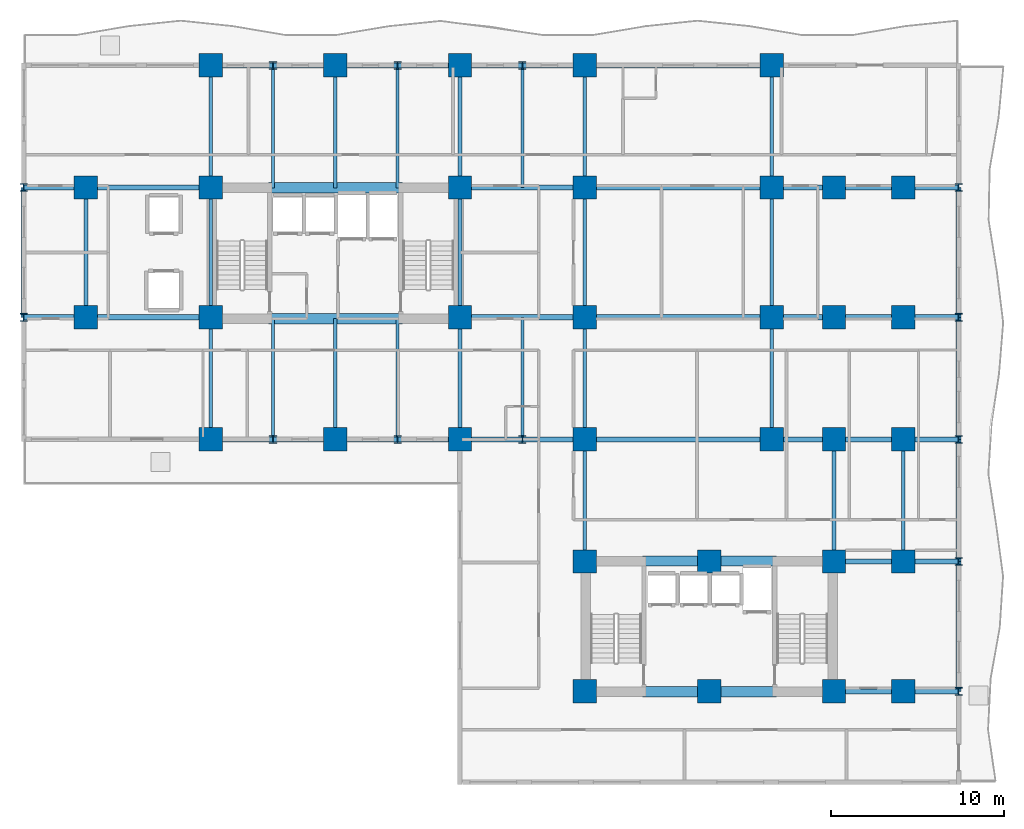
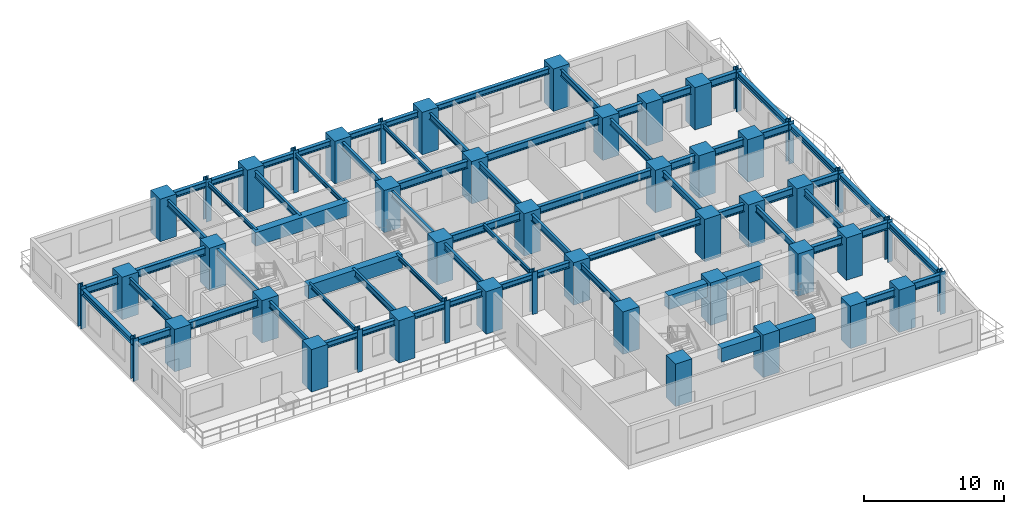
# One storey, part 1 of 11: 68 beams, 47 columns.
"""IFC4 building model written with IfcOpenShell, lengths in metres."""

from ifc_helpers import new_model, si_unit, direction, frame, origin, origin_2d, place, context, subcontext, project, spatial, rectangle, i_section, extrude, source, transform, mapped, material, material_profile, profile_set, type_object, element, save


model = new_model("IFC4")

# Units and contexts
model_context = context("Model", 3, precision=1e-05, world=origin(), true_north=direction((0.0, 1.0)))
body_context = subcontext(model_context, "Body", "Model", "MODEL_VIEW")
ifc_project = project(units=[si_unit("LENGTHUNIT", "METRE"), si_unit("AREAUNIT", "SQUARE_METRE"), si_unit("VOLUMEUNIT", "CUBIC_METRE"), si_unit("PLANEANGLEUNIT", "RADIAN"), si_unit("MASSUNIT", "GRAM", prefix="KILO")], contexts=[model_context])

# Site, building, storey
site_placement = place(None, origin())
site = spatial("IfcSite", under=ifc_project, at=site_placement, CompositionType="ELEMENT")
building_placement = place(site_placement, origin())
building = spatial("IfcBuilding", under=site, at=building_placement, Name="Kaliganga Portal Commons", CompositionType="ELEMENT")
storey_placement = place(building_placement, frame((0.0, 0.0, 25.300048828125)))
storey = spatial("IfcBuildingStorey", under=building, at=storey_placement, Name="L05", CompositionType="ELEMENT", Elevation=25.300048828125)

# Columns
ifc_material_1 = material(Name="Concrete C70/85", Category="concrete")
ifc_material_profile_1 = material_profile(ifc_material_1, rectangle(XDim=1.35009765625, YDim=1.35009765625, at=origin_2d()), Name="RC 1350x1350")
ifc_profile_set_1 = profile_set([ifc_material_profile_1], Name="Concrete C70/85")
column_type_1 = type_object("IfcColumnType", Name="COL-MEGA-Z1", PredefinedType="COLUMN", material=ifc_profile_set_1)
shared_shape_1 = source(origin(), body_context, "Body", "SweptSolid", [
    extrude(rectangle(XDim=1.35009765625, YDim=1.35009765625, at=origin_2d()), origin(), (0.0, 0.0, 1.0), 3.699951171875),
])
for number, where, z_axis, x_axis, name in (
    (1, (7.199951171875, 28.64990234375, 0.0), (0.0, 0.0, 1.0), (1.0, 0.0, 0.0), "Column MC-02 L05"),
    (2, (7.199951171875, 36.14990234375, 0.0), (0.0, 0.0, 1.0), (1.0, 0.0, 0.0), "Column MC-02 L05"),
    (3, (14.39990234375, 21.60009765625, 0.0), (0.0, 0.0, 1.0), (1.0, 0.0, 0.0), "Column MC-02 L05"),
    (4, (14.39990234375, 28.64990234375, 0.0), (0.0, 0.0, 1.0), (1.0, 0.0, 0.0), "Column MC-02 L05"),
    (5, (14.39990234375, 36.14990234375, 0.0), (0.0, 0.0, 1.0), (1.0, 0.0, 0.0), "Column MC-02 L05"),
    (6, (14.39990234375, 43.199951171875, 0.0), (0.0, 0.0, 1.0), (1.0, 0.0, 0.0), "Column MC-02 L05"),
    (7, (21.60009765625, 21.60009765625, 0.0), (0.0, 0.0, 1.0), (1.0, 0.0, 0.0), "Column MC-02 L05"),
    (8, (21.60009765625, 43.199951171875, 0.0), (0.0, 0.0, 1.0), (1.0, 0.0, 0.0), "Column MC-02 L05"),
    (9, (28.800048828125, 21.60009765625, 0.0), (0.0, 0.0, 1.0), (1.0, 0.0, 0.0), "Column MC-02 L05"),
    (10, (28.800048828125, 28.64990234375, 0.0), (0.0, 0.0, 1.0), (1.0, 0.0, 0.0), "Column MC-02 L05"),
    (11, (28.800048828125, 36.14990234375, 0.0), (0.0, 0.0, 1.0), (1.0, 0.0, 0.0), "Column MC-02 L05"),
    (12, (28.800048828125, 43.199951171875, 0.0), (0.0, 0.0, 1.0), (1.0, 0.0, 0.0), "Column MC-02 L05"),
    (13, (36.0, 21.60009765625, 0.0), (0.0, 0.0, 1.0), (1.0, 0.0, 0.0), "Column MC-02 L05"),
    (14, (36.0, 43.199951171875, 0.0), (0.0, 0.0, 1.0), (1.0, 0.0, 0.0), "Column MC-02 L05"),
    (15, (36.0, 28.64990234375, 0.0), (0.0, 0.0, 1.0), (1.0, 0.0, 0.0), "Column MC-02 L05"),
    (16, (36.0, 36.14990234375, 0.0), (0.0, 0.0, 1.0), (1.0, 0.0, 0.0), "Column MC-02 L05"),
    (17, (46.800048828125, 21.60009765625, 0.0), (0.0, 0.0, 1.0), (1.0, 0.0, 0.0), "Column MC-02 L05"),
    (18, (46.800048828125, 28.64990234375, 0.0), (0.0, 0.0, 1.0), (1.0, 0.0, 0.0), "Column MC-02 L05"),
    (19, (46.800048828125, 36.14990234375, 0.0), (0.0, 0.0, 1.0), (1.0, 0.0, 0.0), "Column MC-02 L05"),
    (20, (46.800048828125, 43.199951171875, 0.0), (0.0, 0.0, 1.0), (1.0, 0.0, 0.0), "Column MC-02 L05"),
    (21, (36.0, 7.050048828125, 0.0), (0.0, 0.0, 1.0), (1.0, 0.0, 0.0), "Column MC-02 L05"),
    (22, (36.0, 14.550048828125, 0.0), (0.0, 0.0, 1.0), (1.0, 0.0, 0.0), "Column MC-02 L05"),
    (23, (43.199951171875, 7.050048828125, 0.0), (0.0, 0.0, 1.0), (1.0, 0.0, 0.0), "Column MC-02 L05"),
    (24, (43.199951171875, 14.550048828125, 0.0), (0.0, 0.0, 1.0), (1.0, 0.0, 0.0), "Column MC-02 L05"),
    (25, (50.39990234375, 7.050048828125, 0.0), (0.0, 0.0, 1.0), (1.0, 0.0, 0.0), "Column MC-02 L05"),
    (26, (50.39990234375, 14.550048828125, 0.0), (0.0, 0.0, 1.0), (1.0, 0.0, 0.0), "Column MC-02 L05"),
    (27, (50.39990234375, 21.60009765625, 0.0), (0.0, 0.0, 1.0), (1.0, 0.0, 0.0), "Column MC-02 L05"),
    (28, (50.39990234375, 28.64990234375, 0.0), (0.0, 0.0, 1.0), (1.0, 0.0, 0.0), "Column MC-02 L05"),
    (29, (50.39990234375, 36.14990234375, 0.0), (0.0, 0.0, 1.0), (1.0, 0.0, 0.0), "Column MC-02 L05"),
    (30, (54.39990234375, 7.050048828125, 0.0), (0.0, 0.0, 1.0), (1.0, 0.0, 0.0), "Column MC-02 L05"),
    (31, (54.39990234375, 14.550048828125, 0.0), (0.0, 0.0, 1.0), (1.0, 0.0, 0.0), "Column MC-02 L05"),
    (32, (54.39990234375, 21.60009765625, 0.0), (0.0, 0.0, 1.0), (1.0, 0.0, 0.0), "Column MC-02 L05"),
    (33, (54.39990234375, 28.64990234375, 0.0), (0.0, 0.0, 1.0), (1.0, 0.0, 0.0), "Column MC-02 L05"),
    (34, (54.39990234375, 36.14990234375, 0.0), (0.0, 0.0, 1.0), (1.0, 0.0, 0.0), "Column MC-02 L05"),
):
    element("IfcColumn", number, at=place(storey_placement, frame(where, z_axis=z_axis, x_axis=x_axis)), inside=storey, type_object=column_type_1, Name=name, PredefinedType="COLUMN", context=body_context, shape_type="MappedRepresentation", body=[
        mapped(shared_shape_1, transform((0.0, 0.0, 0.0), x_axis=(1.0, 0.0, 0.0), y_axis=(0.0, 1.0, 0.0), z_axis=(0.0, 0.0, 1.0), scale=1.0)),
    ])
ifc_material_2 = material(Name="Structural steel S460M", Category="steel")
ifc_material_profile_2 = material_profile(ifc_material_2, i_section(OverallWidth=0.416015625, OverallDepth=0.446044921875, WebThickness=0.029052734375, FlangeThickness=0.0400390625, FilletRadius=0.014892578125, at=origin_2d()), Name="HD 400x509")
ifc_profile_set_2 = profile_set([ifc_material_profile_2], Name="Structural steel S460M wide-flange")
column_type_2 = type_object("IfcColumnType", Name="COL-TUBE-B1", PredefinedType="COLUMN", material=ifc_profile_set_2)
shared_shape_2 = source(origin(), body_context, "Body", "SweptSolid", [
    extrude(i_section(OverallWidth=0.416015625, OverallDepth=0.446044921875, WebThickness=0.029052734375, FlangeThickness=0.0400390625, FilletRadius=0.014892578125, at=origin_2d()), origin(), (0.0, 0.0, 1.0), 3.699951171875),
])
for number, where, z_axis, x_axis, name in (
    (35, (3.60009765625, 28.64990234375, 0.0), (0.0, 0.0, 1.0), (1.0, 0.0, 0.0), "Column TC-01 L05"),
    (36, (3.60009765625, 36.14990234375, 0.0), (0.0, 0.0, 1.0), (1.0, 0.0, 0.0), "Column TC-01 L05"),
    (37, (18.0, 21.60009765625, 0.0), (0.0, 0.0, 1.0), (1.0, 0.0, 0.0), "Column TC-01 L05"),
    (38, (18.0, 43.199951171875, 0.0), (0.0, 0.0, 1.0), (1.0, 0.0, 0.0), "Column TC-01 L05"),
    (39, (25.199951171875, 21.60009765625, 0.0), (0.0, 0.0, 1.0), (1.0, 0.0, 0.0), "Column TC-01 L05"),
    (40, (25.199951171875, 43.199951171875, 0.0), (0.0, 0.0, 1.0), (1.0, 0.0, 0.0), "Column TC-01 L05"),
    (41, (32.39990234375, 21.60009765625, 0.0), (0.0, 0.0, 1.0), (1.0, 0.0, 0.0), "Column TC-01 L05"),
    (42, (32.39990234375, 43.199951171875, 0.0), (0.0, 0.0, 1.0), (1.0, 0.0, 0.0), "Column TC-01 L05"),
    (43, (57.60009765625, 7.050048828125, 0.0), (0.0, 0.0, 1.0), (1.0, 0.0, 0.0), "Column TC-01 L05"),
    (44, (57.60009765625, 14.550048828125, 0.0), (0.0, 0.0, 1.0), (1.0, 0.0, 0.0), "Column TC-01 L05"),
    (45, (57.60009765625, 21.60009765625, 0.0), (0.0, 0.0, 1.0), (1.0, 0.0, 0.0), "Column TC-01 L05"),
    (46, (57.60009765625, 28.64990234375, 0.0), (0.0, 0.0, 1.0), (1.0, 0.0, 0.0), "Column TC-01 L05"),
    (47, (57.60009765625, 36.14990234375, 0.0), (0.0, 0.0, 1.0), (1.0, 0.0, 0.0), "Column TC-01 L05"),
):
    element("IfcColumn", number, at=place(storey_placement, frame(where, z_axis=z_axis, x_axis=x_axis)), inside=storey, type_object=column_type_2, Name=name, PredefinedType="COLUMN", context=body_context, shape_type="MappedRepresentation", body=[
        mapped(shared_shape_2, transform((0.0, 0.0, 0.0), x_axis=(1.0, 0.0, 0.0), y_axis=(0.0, 1.0, 0.0), z_axis=(0.0, 0.0, 1.0), scale=1.0)),
    ])

# Beams
ifc_material_3 = material(Name="Concrete C60/75", Category="concrete")
ifc_material_profile_3 = material_profile(ifc_material_3, rectangle(XDim=0.60009765625, YDim=1.199951171875, at=origin_2d()), Name="RC 600x1200")
ifc_profile_set_3 = profile_set([ifc_material_profile_3], Name="Concrete C60/75")
beam_type_1 = type_object("IfcBeamType", Name="BM-CPL-1200", PredefinedType="LINTEL", material=ifc_profile_set_3)
shared_shape_3 = source(origin(), body_context, "Body", "SweptSolid", [
    extrude(rectangle(XDim=0.60009765625, YDim=1.199951171875, at=origin_2d()), origin(), (0.0, 0.0, 1.0), 7.739990234375),
])
for number, where, z_axis, x_axis, name in (
    (48, (17.72998046875, 28.574951171875, 2.849853515625), (1.0, 0.0, 0.0), (0.0, 1.0, 0.0), "BM CPL COREA L05 S"),
    (49, (17.72998046875, 36.125, 2.849853515625), (1.0, 0.0, 0.0), (0.0, 1.0, 0.0), "BM CPL COREA L05 N"),
    (50, (39.330078125, 7.02490234375, 2.849853515625), (1.0, 0.0, 0.0), (0.0, 1.0, 0.0), "BM CPL COREB L05 S"),
    (51, (39.330078125, 14.574951171875, 2.849853515625), (1.0, 0.0, 0.0), (0.0, 1.0, 0.0), "BM CPL COREB L05 N"),
):
    element("IfcBeam", number, at=place(storey_placement, frame(where, z_axis=z_axis, x_axis=x_axis)), inside=storey, type_object=beam_type_1, Name=name, PredefinedType="LINTEL", context=body_context, shape_type="MappedRepresentation", body=[
        mapped(shared_shape_3, transform((0.0, 0.0, 0.0), x_axis=(1.0, 0.0, 0.0), y_axis=(0.0, 1.0, 0.0), z_axis=(0.0, 0.0, 1.0), scale=1.0)),
    ])
ifc_material_4 = material(Name="Structural steel S355J2", Category="steel")
ifc_material_profile_4 = material_profile(ifc_material_4, i_section(OverallWidth=0.300048828125, OverallDepth=0.5, WebThickness=0.014404296875, FlangeThickness=0.028076171875, FilletRadius=0.027099609375, at=origin_2d()), Name="HE 500 B")
ifc_profile_set_4 = profile_set([ifc_material_profile_4], Name="Structural steel S355J2 wide-flange")
beam_type_2 = type_object("IfcBeamType", Name="BM-SPAND-500", PredefinedType="SPANDREL", material=ifc_profile_set_4)
shared_shape_4 = source(origin(), body_context, "Body", "SweptSolid", [
    extrude(i_section(OverallWidth=0.300048828125, OverallDepth=0.5, WebThickness=0.014404296875, FlangeThickness=0.028076171875, FilletRadius=0.027099609375, at=origin_2d()), origin(), (0.0, 0.0, 1.0), 10.800048828125),
])
for number, where, z_axis, x_axis, name in (
    (52, (36.0, 43.199951171875, 3.199951171875), (1.0, 0.0, 0.0), (0.0, 1.0, 0.0), "BM SP L05 AN 7"),
    (53, (36.0, 21.60009765625, 3.199951171875), (1.0, 0.0, 0.0), (0.0, 1.0, 0.0), "BM SP L05 AS 7"),
):
    element("IfcBeam", number, at=place(storey_placement, frame(where, z_axis=z_axis, x_axis=x_axis)), inside=storey, type_object=beam_type_2, Name=name, PredefinedType="SPANDREL", context=body_context, shape_type="MappedRepresentation", body=[
        mapped(shared_shape_4, transform((0.0, 0.0, 0.0), x_axis=(1.0, 0.0, 0.0), y_axis=(0.0, 1.0, 0.0), z_axis=(0.0, 0.0, 1.0), scale=1.0)),
    ])
shared_shape_5 = source(origin(), body_context, "Body", "SweptSolid", [
    extrude(i_section(OverallWidth=0.300048828125, OverallDepth=0.5, WebThickness=0.014404296875, FlangeThickness=0.028076171875, FilletRadius=0.027099609375, at=origin_2d()), origin(), (0.0, 0.0, 1.0), 7.5),
])
for number, where, z_axis, x_axis, name in (
    (54, (3.60009765625, 28.64990234375, 3.199951171875), (0.0, 1.0, 0.0), (-1.0, 0.0, 0.0), "BM SP L05 AW"),
    (55, (57.60009765625, 7.050048828125, 3.199951171875), (0.0, 1.0, 0.0), (-1.0, 0.0, 0.0), "BM SP L05 BE 1"),
    (56, (57.60009765625, 28.64990234375, 3.199951171875), (0.0, 1.0, 0.0), (-1.0, 0.0, 0.0), "BM SP L05 BE 4"),
):
    element("IfcBeam", number, at=place(storey_placement, frame(where, z_axis=z_axis, x_axis=x_axis)), inside=storey, type_object=beam_type_2, Name=name, PredefinedType="SPANDREL", context=body_context, shape_type="MappedRepresentation", body=[
        mapped(shared_shape_5, transform((0.0, 0.0, 0.0), x_axis=(1.0, 0.0, 0.0), y_axis=(0.0, 1.0, 0.0), z_axis=(0.0, 0.0, 1.0), scale=1.0)),
    ])
shared_shape_6 = source(origin(), body_context, "Body", "SweptSolid", [
    extrude(i_section(OverallWidth=0.300048828125, OverallDepth=0.5, WebThickness=0.014404296875, FlangeThickness=0.028076171875, FilletRadius=0.027099609375, at=origin_2d()), origin(), (0.0, 0.0, 1.0), 7.050048828125),
])
beam_1_placement = place(storey_placement, frame((57.60009765625, 14.550048828125, 3.199951171875), z_axis=(0.0, 1.0, 0.0), x_axis=(-1.0, 0.0, 0.0)))
element("IfcBeam", 57, at=beam_1_placement, inside=storey, type_object=beam_type_2, Name="BM SP L05 BE 2", PredefinedType="SPANDREL", context=body_context, shape_type="MappedRepresentation", body=[
    mapped(shared_shape_6, transform((0.0, 0.0, 0.0), x_axis=(1.0, 0.0, 0.0), y_axis=(0.0, 1.0, 0.0), z_axis=(0.0, 0.0, 1.0), scale=1.0)),
])
shared_shape_7 = source(origin(), body_context, "Body", "SweptSolid", [
    extrude(i_section(OverallWidth=0.300048828125, OverallDepth=0.5, WebThickness=0.014404296875, FlangeThickness=0.028076171875, FilletRadius=0.027099609375, at=origin_2d()), origin(), (0.0, 0.0, 1.0), 7.0498046875),
])
beam_2_placement = place(storey_placement, frame((57.60009765625, 21.60009765625, 3.199951171875), z_axis=(0.0, 1.0, 0.0), x_axis=(-1.0, 0.0, 0.0)))
element("IfcBeam", 58, at=beam_2_placement, inside=storey, type_object=beam_type_2, Name="BM SP L05 BE 3", PredefinedType="SPANDREL", context=body_context, shape_type="MappedRepresentation", body=[
    mapped(shared_shape_7, transform((0.0, 0.0, 0.0), x_axis=(1.0, 0.0, 0.0), y_axis=(0.0, 1.0, 0.0), z_axis=(0.0, 0.0, 1.0), scale=1.0)),
])
shared_shape_8 = source(origin(), body_context, "Body", "SweptSolid", [
    extrude(i_section(OverallWidth=0.300048828125, OverallDepth=0.5, WebThickness=0.014404296875, FlangeThickness=0.028076171875, FilletRadius=0.027099609375, at=origin_2d()), origin(), (0.0, 0.0, 1.0), 3.60009765625),
])
for number, where, z_axis, x_axis, name in (
    (59, (14.39990234375, 43.199951171875, 3.199951171875), (1.0, 0.0, 0.0), (0.0, 1.0, 0.0), "BM SP L05 AN 1"),
    (60, (18.0, 43.199951171875, 3.199951171875), (1.0, 0.0, 0.0), (0.0, 1.0, 0.0), "BM SP L05 AN 2"),
    (61, (25.199951171875, 43.199951171875, 3.199951171875), (1.0, 0.0, 0.0), (0.0, 1.0, 0.0), "BM SP L05 AN 4"),
    (62, (32.39990234375, 43.199951171875, 3.199951171875), (1.0, 0.0, 0.0), (0.0, 1.0, 0.0), "BM SP L05 AN 6"),
    (63, (14.39990234375, 21.60009765625, 3.199951171875), (1.0, 0.0, 0.0), (0.0, 1.0, 0.0), "BM SP L05 AS 1"),
    (64, (18.0, 21.60009765625, 3.199951171875), (1.0, 0.0, 0.0), (0.0, 1.0, 0.0), "BM SP L05 AS 2"),
    (65, (25.199951171875, 21.60009765625, 3.199951171875), (1.0, 0.0, 0.0), (0.0, 1.0, 0.0), "BM SP L05 AS 4"),
    (66, (32.39990234375, 21.60009765625, 3.199951171875), (1.0, 0.0, 0.0), (0.0, 1.0, 0.0), "BM SP L05 AS 6"),
):
    element("IfcBeam", number, at=place(storey_placement, frame(where, z_axis=z_axis, x_axis=x_axis)), inside=storey, type_object=beam_type_2, Name=name, PredefinedType="SPANDREL", context=body_context, shape_type="MappedRepresentation", body=[
        mapped(shared_shape_8, transform((0.0, 0.0, 0.0), x_axis=(1.0, 0.0, 0.0), y_axis=(0.0, 1.0, 0.0), z_axis=(0.0, 0.0, 1.0), scale=1.0)),
    ])
shared_shape_9 = source(origin(), body_context, "Body", "SweptSolid", [
    extrude(i_section(OverallWidth=0.300048828125, OverallDepth=0.5, WebThickness=0.014404296875, FlangeThickness=0.028076171875, FilletRadius=0.027099609375, at=origin_2d()), origin(), (0.0, 0.0, 1.0), 3.599853515625),
])
for number, where, z_axis, x_axis, name in (
    (67, (21.60009765625, 43.199951171875, 3.199951171875), (1.0, 0.0, 0.0), (0.0, 1.0, 0.0), "BM SP L05 AN 3"),
    (68, (28.800048828125, 43.199951171875, 3.199951171875), (1.0, 0.0, 0.0), (0.0, 1.0, 0.0), "BM SP L05 AN 5"),
    (69, (21.60009765625, 21.60009765625, 3.199951171875), (1.0, 0.0, 0.0), (0.0, 1.0, 0.0), "BM SP L05 AS 3"),
    (70, (28.800048828125, 21.60009765625, 3.199951171875), (1.0, 0.0, 0.0), (0.0, 1.0, 0.0), "BM SP L05 AS 5"),
):
    element("IfcBeam", number, at=place(storey_placement, frame(where, z_axis=z_axis, x_axis=x_axis)), inside=storey, type_object=beam_type_2, Name=name, PredefinedType="SPANDREL", context=body_context, shape_type="MappedRepresentation", body=[
        mapped(shared_shape_9, transform((0.0, 0.0, 0.0), x_axis=(1.0, 0.0, 0.0), y_axis=(0.0, 1.0, 0.0), z_axis=(0.0, 0.0, 1.0), scale=1.0)),
    ])
ifc_material_profile_5 = material_profile(ifc_material_4, i_section(OverallWidth=0.300048828125, OverallDepth=0.64990234375, WebThickness=0.01611328125, FlangeThickness=0.031005859375, FilletRadius=0.027099609375, at=origin_2d()), Name="HE 650 B")
ifc_profile_set_5 = profile_set([ifc_material_profile_5], Name="Structural steel S355J2 wide-flange")
beam_type_3 = type_object("IfcBeamType", Name="BM-GIRD-650", PredefinedType="USERDEFINED", material=ifc_profile_set_5)
shared_shape_10 = source(origin(), body_context, "Body", "SweptSolid", [
    extrude(i_section(OverallWidth=0.300048828125, OverallDepth=0.64990234375, WebThickness=0.01611328125, FlangeThickness=0.031005859375, FilletRadius=0.027099609375, at=origin_2d()), origin(), (0.0, 0.0, 1.0), 3.599853515625),
])
for number, where, z_axis, x_axis, name in (
    (71, (3.60009765625, 28.64990234375, 3.125), (1.0, 0.0, 0.0), (0.0, 1.0, 0.0), "BM G L05 WAH_S 1"),
    (72, (3.60009765625, 36.14990234375, 3.125), (1.0, 0.0, 0.0), (0.0, 1.0, 0.0), "BM G L05 WAH_N 1"),
    (73, (46.800048828125, 21.60009765625, 3.125), (1.0, 0.0, 0.0), (0.0, 1.0, 0.0), "BM G L05 BKE216 1"),
    (74, (46.800048828125, 28.64990234375, 3.125), (1.0, 0.0, 0.0), (0.0, 1.0, 0.0), "BM G L05 BKE286 1"),
    (75, (46.800048828125, 36.14990234375, 3.125), (1.0, 0.0, 0.0), (0.0, 1.0, 0.0), "BM G L05 BKE362 1"),
):
    element("IfcBeam", number, at=place(storey_placement, frame(where, z_axis=z_axis, x_axis=x_axis)), inside=storey, type_object=beam_type_3, Name=name, ObjectType="GIRDER", PredefinedType="USERDEFINED", context=body_context, shape_type="MappedRepresentation", body=[
        mapped(shared_shape_10, transform((0.0, 0.0, 0.0), x_axis=(1.0, 0.0, 0.0), y_axis=(0.0, 1.0, 0.0), z_axis=(0.0, 0.0, 1.0), scale=1.0)),
    ])
shared_shape_11 = source(origin(), body_context, "Body", "SweptSolid", [
    extrude(i_section(OverallWidth=0.300048828125, OverallDepth=0.64990234375, WebThickness=0.01611328125, FlangeThickness=0.031005859375, FilletRadius=0.027099609375, at=origin_2d()), origin(), (0.0, 0.0, 1.0), 7.199951171875),
])
for number, where, z_axis, x_axis, name in (
    (76, (7.199951171875, 28.64990234375, 3.125), (1.0, 0.0, 0.0), (0.0, 1.0, 0.0), "BM G L05 WAH_S 2"),
    (77, (7.199951171875, 36.14990234375, 3.125), (1.0, 0.0, 0.0), (0.0, 1.0, 0.0), "BM G L05 WAH_N 2"),
    (78, (28.800048828125, 28.64990234375, 3.125), (1.0, 0.0, 0.0), (0.0, 1.0, 0.0), "BM G L05 WAE_S 1"),
    (79, (28.800048828125, 36.14990234375, 3.125), (1.0, 0.0, 0.0), (0.0, 1.0, 0.0), "BM G L05 WAE_N 1"),
):
    element("IfcBeam", number, at=place(storey_placement, frame(where, z_axis=z_axis, x_axis=x_axis)), inside=storey, type_object=beam_type_3, Name=name, ObjectType="GIRDER", PredefinedType="USERDEFINED", context=body_context, shape_type="MappedRepresentation", body=[
        mapped(shared_shape_11, transform((0.0, 0.0, 0.0), x_axis=(1.0, 0.0, 0.0), y_axis=(0.0, 1.0, 0.0), z_axis=(0.0, 0.0, 1.0), scale=1.0)),
    ])
shared_shape_12 = source(origin(), body_context, "Body", "SweptSolid", [
    extrude(i_section(OverallWidth=0.300048828125, OverallDepth=0.64990234375, WebThickness=0.01611328125, FlangeThickness=0.031005859375, FilletRadius=0.027099609375, at=origin_2d()), origin(), (0.0, 0.0, 1.0), 10.800048828125),
])
for number, where, z_axis, x_axis, name in (
    (80, (36.0, 28.64990234375, 3.125), (1.0, 0.0, 0.0), (0.0, 1.0, 0.0), "BM G L05 WAE_S 2"),
    (81, (36.0, 36.14990234375, 3.125), (1.0, 0.0, 0.0), (0.0, 1.0, 0.0), "BM G L05 WAE_N 2"),
):
    element("IfcBeam", number, at=place(storey_placement, frame(where, z_axis=z_axis, x_axis=x_axis)), inside=storey, type_object=beam_type_3, Name=name, ObjectType="GIRDER", PredefinedType="USERDEFINED", context=body_context, shape_type="MappedRepresentation", body=[
        mapped(shared_shape_12, transform((0.0, 0.0, 0.0), x_axis=(1.0, 0.0, 0.0), y_axis=(0.0, 1.0, 0.0), z_axis=(0.0, 0.0, 1.0), scale=1.0)),
    ])
ifc_material_profile_6 = material_profile(ifc_material_4, i_section(OverallWidth=0.2099609375, OverallDepth=0.550048828125, WebThickness=0.010986328125, FlangeThickness=0.01708984375, FilletRadius=0.02392578125, at=origin_2d()), Name="IPE 550")
ifc_profile_set_6 = profile_set([ifc_material_profile_6], Name="Structural steel S355J2 wide-flange")
beam_type_4 = type_object("IfcBeamType", Name="BM-FLR-550", PredefinedType="BEAM", material=ifc_profile_set_6)
shared_shape_13 = source(origin(), body_context, "Body", "SweptSolid", [
    extrude(i_section(OverallWidth=0.2099609375, OverallDepth=0.550048828125, WebThickness=0.010986328125, FlangeThickness=0.01708984375, FilletRadius=0.02392578125, at=origin_2d()), origin(), (0.0, 0.0, 1.0), 7.5),
])
for number, where, z_axis, x_axis, name in (
    (82, (7.199951171875, 28.64990234375, 3.175048828125), (0.0, 1.0, 0.0), (-1.0, 0.0, 0.0), "BM G L05 AW72"),
    (83, (14.39990234375, 28.64990234375, 3.175048828125), (0.0, 1.0, 0.0), (-1.0, 0.0, 0.0), "BM G L05 AM144"),
    (84, (28.800048828125, 28.64990234375, 3.175048828125), (0.0, 1.0, 0.0), (-1.0, 0.0, 0.0), "BM G L05 AM288"),
    (85, (36.0, 28.64990234375, 3.175048828125), (0.0, 1.0, 0.0), (-1.0, 0.0, 0.0), "BM G L05 AM360"),
    (86, (46.800048828125, 28.64990234375, 3.175048828125), (0.0, 1.0, 0.0), (-1.0, 0.0, 0.0), "BM G L05 AM468"),
):
    element("IfcBeam", number, at=place(storey_placement, frame(where, z_axis=z_axis, x_axis=x_axis)), inside=storey, type_object=beam_type_4, Name=name, PredefinedType="BEAM", context=body_context, shape_type="MappedRepresentation", body=[
        mapped(shared_shape_13, transform((0.0, 0.0, 0.0), x_axis=(1.0, 0.0, 0.0), y_axis=(0.0, 1.0, 0.0), z_axis=(0.0, 0.0, 1.0), scale=1.0)),
    ])
shared_shape_14 = source(origin(), body_context, "Body", "SweptSolid", [
    extrude(i_section(OverallWidth=0.2099609375, OverallDepth=0.550048828125, WebThickness=0.010986328125, FlangeThickness=0.01708984375, FilletRadius=0.02392578125, at=origin_2d()), origin(), (0.0, 0.0, 1.0), 7.050048828125),
])
for number, where, z_axis, x_axis, name in (
    (87, (14.39990234375, 36.14990234375, 3.175048828125), (0.0, 1.0, 0.0), (-1.0, 0.0, 0.0), "BM G L05 AN144"),
    (88, (28.800048828125, 36.14990234375, 3.175048828125), (0.0, 1.0, 0.0), (-1.0, 0.0, 0.0), "BM G L05 AN288"),
    (89, (36.0, 36.14990234375, 3.175048828125), (0.0, 1.0, 0.0), (-1.0, 0.0, 0.0), "BM G L05 AN360"),
    (90, (46.800048828125, 36.14990234375, 3.175048828125), (0.0, 1.0, 0.0), (-1.0, 0.0, 0.0), "BM G L05 AN468"),
    (91, (36.0, 14.550048828125, 3.175048828125), (0.0, 1.0, 0.0), (-1.0, 0.0, 0.0), "BM G L05 BNK360"),
    (92, (50.39990234375, 14.550048828125, 3.175048828125), (0.0, 1.0, 0.0), (-1.0, 0.0, 0.0), "BM G L05 BNK504"),
    (93, (54.39990234375, 14.550048828125, 3.175048828125), (0.0, 1.0, 0.0), (-1.0, 0.0, 0.0), "BM G L05 BNK544"),
):
    element("IfcBeam", number, at=place(storey_placement, frame(where, z_axis=z_axis, x_axis=x_axis)), inside=storey, type_object=beam_type_4, Name=name, PredefinedType="BEAM", context=body_context, shape_type="MappedRepresentation", body=[
        mapped(shared_shape_14, transform((0.0, 0.0, 0.0), x_axis=(1.0, 0.0, 0.0), y_axis=(0.0, 1.0, 0.0), z_axis=(0.0, 0.0, 1.0), scale=1.0)),
    ])
shared_shape_15 = source(origin(), body_context, "Body", "SweptSolid", [
    extrude(i_section(OverallWidth=0.2099609375, OverallDepth=0.550048828125, WebThickness=0.010986328125, FlangeThickness=0.01708984375, FilletRadius=0.02392578125, at=origin_2d()), origin(), (0.0, 0.0, 1.0), 7.0498046875),
])
for number, where, z_axis, x_axis, name in (
    (94, (14.39990234375, 21.60009765625, 3.175048828125), (0.0, 1.0, 0.0), (-1.0, 0.0, 0.0), "BM G L05 AS144"),
    (95, (28.800048828125, 21.60009765625, 3.175048828125), (0.0, 1.0, 0.0), (-1.0, 0.0, 0.0), "BM G L05 AS288"),
    (96, (36.0, 21.60009765625, 3.175048828125), (0.0, 1.0, 0.0), (-1.0, 0.0, 0.0), "BM G L05 AS360"),
    (97, (46.800048828125, 21.60009765625, 3.175048828125), (0.0, 1.0, 0.0), (-1.0, 0.0, 0.0), "BM G L05 AS468"),
):
    element("IfcBeam", number, at=place(storey_placement, frame(where, z_axis=z_axis, x_axis=x_axis)), inside=storey, type_object=beam_type_4, Name=name, PredefinedType="BEAM", context=body_context, shape_type="MappedRepresentation", body=[
        mapped(shared_shape_15, transform((0.0, 0.0, 0.0), x_axis=(1.0, 0.0, 0.0), y_axis=(0.0, 1.0, 0.0), z_axis=(0.0, 0.0, 1.0), scale=1.0)),
    ])
ifc_material_profile_7 = material_profile(ifc_material_4, i_section(OverallWidth=0.169921875, OverallDepth=0.360107421875, WebThickness=0.008056640625, FlangeThickness=0.0126953125, FilletRadius=0.01806640625, at=origin_2d()), Name="IPE 360")
ifc_profile_set_7 = profile_set([ifc_material_profile_7], Name="Structural steel S355J2 wide-flange")
beam_type_5 = type_object("IfcBeamType", Name="BM-JST-360", PredefinedType="JOIST", material=ifc_profile_set_7)
shared_shape_16 = source(origin(), body_context, "Body", "SweptSolid", [
    extrude(i_section(OverallWidth=0.169921875, OverallDepth=0.360107421875, WebThickness=0.008056640625, FlangeThickness=0.0126953125, FilletRadius=0.01806640625, at=origin_2d()), origin(), (0.0, 0.0, 1.0), 7.074951171875),
])
for number, where, z_axis, x_axis, name in (
    (98, (18.0, 36.125, 3.27001953125), (0.0, 1.0, 0.0), (-1.0, 0.0, 0.0), "BM G L05 AN180"),
    (99, (25.199951171875, 36.125, 3.27001953125), (0.0, 1.0, 0.0), (-1.0, 0.0, 0.0), "BM G L05 AN252"),
):
    element("IfcBeam", number, at=place(storey_placement, frame(where, z_axis=z_axis, x_axis=x_axis)), inside=storey, type_object=beam_type_5, Name=name, PredefinedType="JOIST", context=body_context, shape_type="MappedRepresentation", body=[
        mapped(shared_shape_16, transform((0.0, 0.0, 0.0), x_axis=(1.0, 0.0, 0.0), y_axis=(0.0, 1.0, 0.0), z_axis=(0.0, 0.0, 1.0), scale=1.0)),
    ])
shared_shape_17 = source(origin(), body_context, "Body", "SweptSolid", [
    extrude(i_section(OverallWidth=0.169921875, OverallDepth=0.360107421875, WebThickness=0.008056640625, FlangeThickness=0.0126953125, FilletRadius=0.01806640625, at=origin_2d()), origin(), (0.0, 0.0, 1.0), 6.974853515625),
])
for number, where, z_axis, x_axis, name in (
    (100, (18.0, 21.60009765625, 3.27001953125), (0.0, 1.0, 0.0), (-1.0, 0.0, 0.0), "BM G L05 AS180"),
    (101, (25.199951171875, 21.60009765625, 3.27001953125), (0.0, 1.0, 0.0), (-1.0, 0.0, 0.0), "BM G L05 AS252"),
):
    element("IfcBeam", number, at=place(storey_placement, frame(where, z_axis=z_axis, x_axis=x_axis)), inside=storey, type_object=beam_type_5, Name=name, PredefinedType="JOIST", context=body_context, shape_type="MappedRepresentation", body=[
        mapped(shared_shape_17, transform((0.0, 0.0, 0.0), x_axis=(1.0, 0.0, 0.0), y_axis=(0.0, 1.0, 0.0), z_axis=(0.0, 0.0, 1.0), scale=1.0)),
    ])
shared_shape_18 = source(origin(), body_context, "Body", "SweptSolid", [
    extrude(i_section(OverallWidth=0.2099609375, OverallDepth=0.550048828125, WebThickness=0.010986328125, FlangeThickness=0.01708984375, FilletRadius=0.02392578125, at=origin_2d()), origin(), (0.0, 0.0, 1.0), 7.074951171875),
])
beam_3_placement = place(storey_placement, frame((21.60009765625, 36.125, 3.175048828125), z_axis=(0.0, 1.0, 0.0), x_axis=(-1.0, 0.0, 0.0)))
element("IfcBeam", 102, at=beam_3_placement, inside=storey, type_object=beam_type_4, Name="BM G L05 AN216", PredefinedType="BEAM", context=body_context, shape_type="MappedRepresentation", body=[
    mapped(shared_shape_18, transform((0.0, 0.0, 0.0), x_axis=(1.0, 0.0, 0.0), y_axis=(0.0, 1.0, 0.0), z_axis=(0.0, 0.0, 1.0), scale=1.0)),
])
shared_shape_19 = source(origin(), body_context, "Body", "SweptSolid", [
    extrude(i_section(OverallWidth=0.2099609375, OverallDepth=0.550048828125, WebThickness=0.010986328125, FlangeThickness=0.01708984375, FilletRadius=0.02392578125, at=origin_2d()), origin(), (0.0, 0.0, 1.0), 6.974853515625),
])
beam_4_placement = place(storey_placement, frame((21.60009765625, 21.60009765625, 3.175048828125), z_axis=(0.0, 1.0, 0.0), x_axis=(-1.0, 0.0, 0.0)))
element("IfcBeam", 103, at=beam_4_placement, inside=storey, type_object=beam_type_4, Name="BM G L05 AS216", PredefinedType="BEAM", context=body_context, shape_type="MappedRepresentation", body=[
    mapped(shared_shape_19, transform((0.0, 0.0, 0.0), x_axis=(1.0, 0.0, 0.0), y_axis=(0.0, 1.0, 0.0), z_axis=(0.0, 0.0, 1.0), scale=1.0)),
])
shared_shape_20 = source(origin(), body_context, "Body", "SweptSolid", [
    extrude(i_section(OverallWidth=0.169921875, OverallDepth=0.360107421875, WebThickness=0.008056640625, FlangeThickness=0.0126953125, FilletRadius=0.01806640625, at=origin_2d()), origin(), (0.0, 0.0, 1.0), 7.050048828125),
])
beam_5_placement = place(storey_placement, frame((32.39990234375, 36.14990234375, 3.27001953125), z_axis=(0.0, 1.0, 0.0), x_axis=(-1.0, 0.0, 0.0)))
element("IfcBeam", 104, at=beam_5_placement, inside=storey, type_object=beam_type_5, Name="BM G L05 AN324", PredefinedType="JOIST", context=body_context, shape_type="MappedRepresentation", body=[
    mapped(shared_shape_20, transform((0.0, 0.0, 0.0), x_axis=(1.0, 0.0, 0.0), y_axis=(0.0, 1.0, 0.0), z_axis=(0.0, 0.0, 1.0), scale=1.0)),
])
shared_shape_21 = source(origin(), body_context, "Body", "SweptSolid", [
    extrude(i_section(OverallWidth=0.169921875, OverallDepth=0.360107421875, WebThickness=0.008056640625, FlangeThickness=0.0126953125, FilletRadius=0.01806640625, at=origin_2d()), origin(), (0.0, 0.0, 1.0), 7.0498046875),
])
beam_6_placement = place(storey_placement, frame((32.39990234375, 21.60009765625, 3.27001953125), z_axis=(0.0, 1.0, 0.0), x_axis=(-1.0, 0.0, 0.0)))
element("IfcBeam", 105, at=beam_6_placement, inside=storey, type_object=beam_type_5, Name="BM G L05 AS324", PredefinedType="JOIST", context=body_context, shape_type="MappedRepresentation", body=[
    mapped(shared_shape_21, transform((0.0, 0.0, 0.0), x_axis=(1.0, 0.0, 0.0), y_axis=(0.0, 1.0, 0.0), z_axis=(0.0, 0.0, 1.0), scale=1.0)),
])
shared_shape_22 = source(origin(), body_context, "Body", "SweptSolid", [
    extrude(i_section(OverallWidth=0.300048828125, OverallDepth=0.64990234375, WebThickness=0.01611328125, FlangeThickness=0.031005859375, FilletRadius=0.027099609375, at=origin_2d()), origin(), (0.0, 0.0, 1.0), 4.0),
])
for number, where, z_axis, x_axis, name in (
    (106, (50.39990234375, 7.050048828125, 3.125), (1.0, 0.0, 0.0), (0.0, 1.0, 0.0), "BM G L05 BKE70 1"),
    (107, (50.39990234375, 14.550048828125, 3.125), (1.0, 0.0, 0.0), (0.0, 1.0, 0.0), "BM G L05 BKE146 1"),
    (108, (50.39990234375, 21.60009765625, 3.125), (1.0, 0.0, 0.0), (0.0, 1.0, 0.0), "BM G L05 BKE216 2"),
    (109, (50.39990234375, 28.64990234375, 3.125), (1.0, 0.0, 0.0), (0.0, 1.0, 0.0), "BM G L05 BKE286 2"),
    (110, (50.39990234375, 36.14990234375, 3.125), (1.0, 0.0, 0.0), (0.0, 1.0, 0.0), "BM G L05 BKE362 2"),
):
    element("IfcBeam", number, at=place(storey_placement, frame(where, z_axis=z_axis, x_axis=x_axis)), inside=storey, type_object=beam_type_3, Name=name, ObjectType="GIRDER", PredefinedType="USERDEFINED", context=body_context, shape_type="MappedRepresentation", body=[
        mapped(shared_shape_22, transform((0.0, 0.0, 0.0), x_axis=(1.0, 0.0, 0.0), y_axis=(0.0, 1.0, 0.0), z_axis=(0.0, 0.0, 1.0), scale=1.0)),
    ])
shared_shape_23 = source(origin(), body_context, "Body", "SweptSolid", [
    extrude(i_section(OverallWidth=0.300048828125, OverallDepth=0.64990234375, WebThickness=0.01611328125, FlangeThickness=0.031005859375, FilletRadius=0.027099609375, at=origin_2d()), origin(), (0.0, 0.0, 1.0), 3.2001953125),
])
for number, where, z_axis, x_axis, name in (
    (111, (54.39990234375, 7.050048828125, 3.125), (1.0, 0.0, 0.0), (0.0, 1.0, 0.0), "BM G L05 BKE70 2"),
    (112, (54.39990234375, 14.550048828125, 3.125), (1.0, 0.0, 0.0), (0.0, 1.0, 0.0), "BM G L05 BKE146 2"),
    (113, (54.39990234375, 21.60009765625, 3.125), (1.0, 0.0, 0.0), (0.0, 1.0, 0.0), "BM G L05 BKE216 3"),
    (114, (54.39990234375, 28.64990234375, 3.125), (1.0, 0.0, 0.0), (0.0, 1.0, 0.0), "BM G L05 BKE286 3"),
    (115, (54.39990234375, 36.14990234375, 3.125), (1.0, 0.0, 0.0), (0.0, 1.0, 0.0), "BM G L05 BKE362 3"),
):
    element("IfcBeam", number, at=place(storey_placement, frame(where, z_axis=z_axis, x_axis=x_axis)), inside=storey, type_object=beam_type_3, Name=name, ObjectType="GIRDER", PredefinedType="USERDEFINED", context=body_context, shape_type="MappedRepresentation", body=[
        mapped(shared_shape_23, transform((0.0, 0.0, 0.0), x_axis=(1.0, 0.0, 0.0), y_axis=(0.0, 1.0, 0.0), z_axis=(0.0, 0.0, 1.0), scale=1.0)),
    ])

save(model, "model.ifc")
